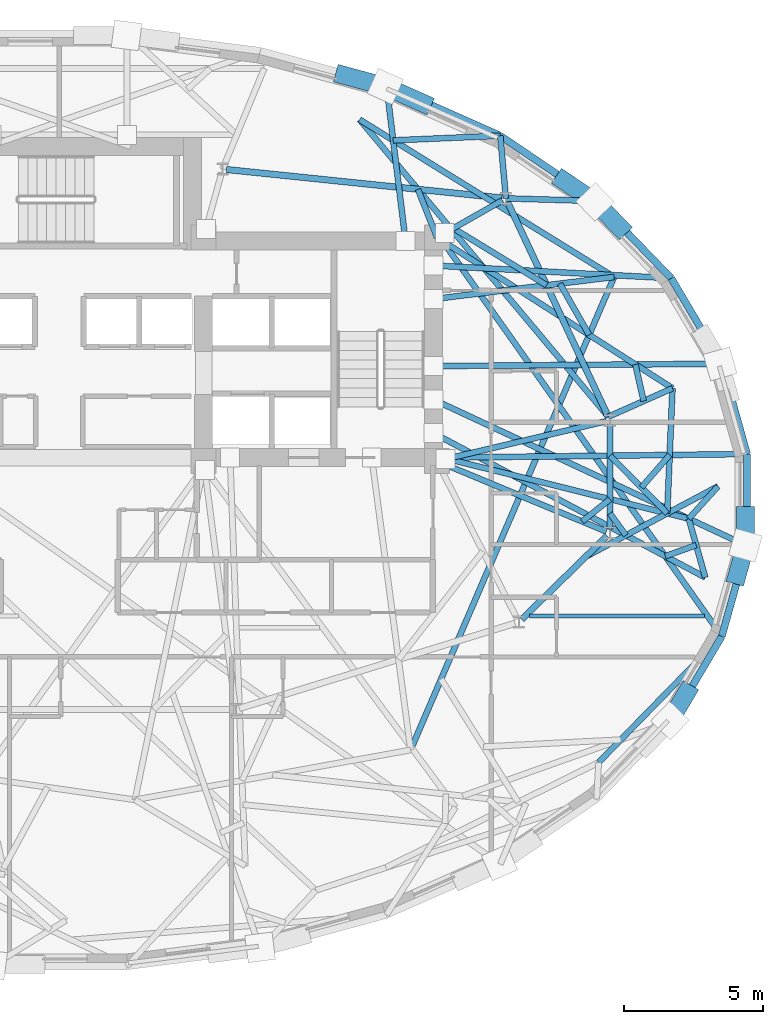
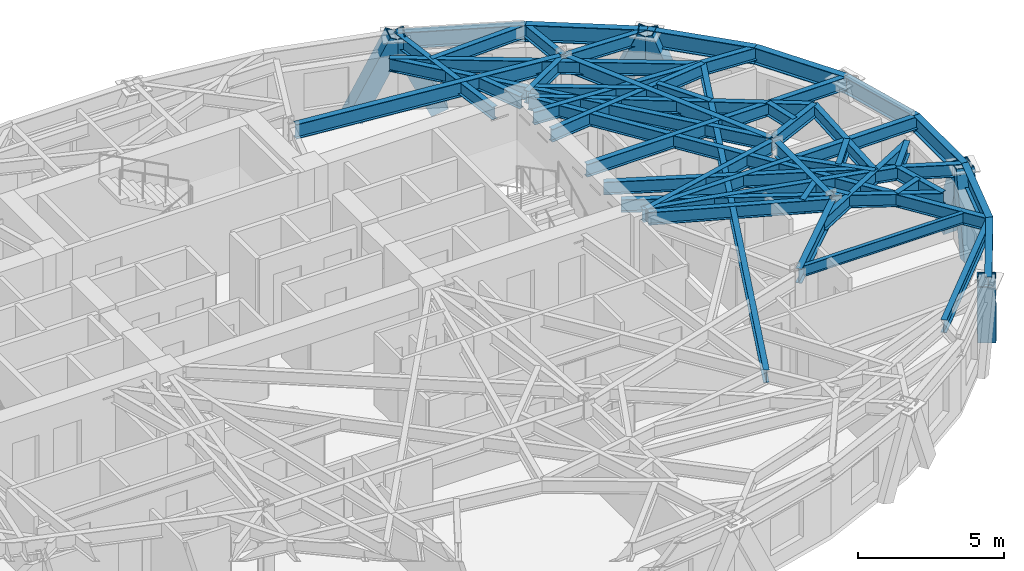
# One storey, part 4 of 15: 47 beams, 7 members.
"""IFC4 building model written with IfcOpenShell, lengths in metres."""

from ifc_helpers import new_model, si_unit, direction, frame, origin, origin_2d, place, context, subcontext, project, spatial, hollow_rectangle, i_section, extrude, material, material_profile, profile_set, type_object, element, save


model = new_model("IFC4")

# Units and contexts
model_context = context("Model", 3, precision=1e-05, world=origin(), true_north=direction((0.0, 1.0)))
body_context = subcontext(model_context, "Body", "Model", "MODEL_VIEW")
ifc_project = project(units=[si_unit("LENGTHUNIT", "METRE"), si_unit("AREAUNIT", "SQUARE_METRE"), si_unit("VOLUMEUNIT", "CUBIC_METRE"), si_unit("PLANEANGLEUNIT", "RADIAN"), si_unit("MASSUNIT", "GRAM", prefix="KILO")], contexts=[model_context])

# Site, building, storey
site_placement = place(None, origin())
site = spatial("IfcSite", under=ifc_project, at=site_placement, CompositionType="ELEMENT")
building_placement = place(site_placement, origin())
building = spatial("IfcBuilding", under=site, at=building_placement, Name="Keldmark Tower", CompositionType="ELEMENT")
storey_placement = place(building_placement, frame((0.0, 0.0, 163.0)))
storey = spatial("IfcBuildingStorey", under=building, at=storey_placement, Name="L44", CompositionType="ELEMENT", Elevation=163.0)

# Beam
ifc_material_1 = material(Name="Steel ASTM A992 Grade 50", Category="steel")
ifc_material_profile_1 = material_profile(ifc_material_1, i_section(OverallWidth=0.153076171875, OverallDepth=0.455078125, WebThickness=0.008056640625, FlangeThickness=0.01318359375, at=origin_2d()), Name="W18X40")
ifc_profile_set_1 = profile_set([ifc_material_profile_1], Name="Steel ASTM A992 Grade 50")
beam_type_1 = type_object("IfcBeamType", Name="Composite Floor Joist W18X40", PredefinedType="JOIST", material=ifc_profile_set_1)
beam_1_placement = place(storey_placement, frame((16.923095703125, -4.179931640625, 2.79248046875), z_axis=(1.0, 0.0, 0.0), x_axis=(0.0, 1.0, 0.0)))
element("IfcBeam", 1, at=beam_1_placement, inside=storey, type_object=beam_type_1, Name="L44 Composite Floor Joist J05", PredefinedType="JOIST", context=body_context, shape_type="SweptSolid", body=[
    extrude(i_section(OverallWidth=0.153076171875, OverallDepth=0.455078125, WebThickness=0.008056640625, FlangeThickness=0.01318359375, at=origin_2d()), origin(), (0.0, 0.0, 1.0), 6.30224609375),
])

# Members
ifc_material_2 = material(Name="Steel ASTM A572 Grade 50", Category="steel")
ifc_material_profile_2 = material_profile(ifc_material_2, hollow_rectangle(XDim=0.64990234375, YDim=0.64990234375, WallThickness=0.0400390625, at=origin_2d()), Name="BOX650X650X40")
ifc_profile_set_2 = profile_set([ifc_material_profile_2], Name="Steel ASTM A572 Grade 50")
member_type = type_object("IfcMemberType", Name="Diagrid Zone 3 Brace BOX650X650X40", PredefinedType="BRACE", material=ifc_profile_set_2)
member_1_placement = place(storey_placement, frame((20.192626953125, 9.8095703125, -0.260009765625), z_axis=(-0.26241195601, 0.271569188935, 0.925953638669), x_axis=(-0.719127207078, -0.694878449832, 0.0)))
element("IfcMember", 2, at=member_1_placement, inside=storey, type_object=member_type, Name="L44 Perimeter Diagrid Brace 02A", PredefinedType="BRACE", context=body_context, shape_type="SweptSolid", body=[
    extrude(hollow_rectangle(XDim=0.64990234375, YDim=0.64990234375, WallThickness=0.0400390625, at=origin_2d()), origin(), (0.0, 0.0, 1.0), 3.41259765625),
])
member_2_placement = place(storey_placement, frame((18.14697265625, 11.510498046875, -0.260009765625), z_axis=(0.334729830569, -0.226898350424, 0.914589021967), x_axis=(0.56109540076, 0.827751140891, 0.0)))
element("IfcMember", 3, at=member_2_placement, inside=storey, type_object=member_type, Name="L44 Perimeter Diagrid Brace 02B", PredefinedType="BRACE", context=body_context, shape_type="SweptSolid", body=[
    extrude(hollow_rectangle(XDim=0.64990234375, YDim=0.64990234375, WallThickness=0.0400390625, at=origin_2d()), origin(), (0.0, 0.0, 1.0), 3.455078125),
])
member_3_placement = place(storey_placement, frame((13.10791015625, 14.28466796875, -0.260009765625), z_axis=(-0.391062363127, 0.173603756202, 0.903842886777), x_axis=(-0.405744700759, -0.913986453842, 0.0)))
element("IfcMember", 4, at=member_3_placement, inside=storey, type_object=member_type, Name="L44 Perimeter Diagrid Brace 03A", PredefinedType="BRACE", context=body_context, shape_type="SweptSolid", body=[
    extrude(hollow_rectangle(XDim=0.64990234375, YDim=0.64990234375, WallThickness=0.0400390625, at=origin_2d()), origin(), (0.0, 0.0, 1.0), 3.49609375),
])
member_4_placement = place(storey_placement, frame((10.236572265625, 15.29638671875, -0.260009765625), z_axis=(0.429127748845, -0.116537837293, 0.895694315964), x_axis=(0.262076941922, 0.965046981506, 0.0)))
element("IfcMember", 5, at=member_4_placement, inside=storey, type_object=member_type, Name="L44 Perimeter Diagrid Brace 03B", PredefinedType="BRACE", context=body_context, shape_type="SweptSolid", body=[
    extrude(hollow_rectangle(XDim=0.64990234375, YDim=0.64990234375, WallThickness=0.0400390625, at=origin_2d()), origin(), (0.0, 0.0, 1.0), 3.52783203125),
])
member_5_placement = place(storey_placement, frame((22.590576171875, -6.929931640625, -0.260009765625), z_axis=(-0.179634339939, -0.303896484951, 0.935616604357), x_axis=(0.860853140724, -0.508853485894, 0.0)))
element("IfcMember", 6, at=member_5_placement, inside=storey, type_object=member_type, Name="L44 Perimeter Diagrid Brace 15B", PredefinedType="BRACE", context=body_context, shape_type="SweptSolid", body=[
    extrude(hollow_rectangle(XDim=0.64990234375, YDim=0.64990234375, WallThickness=0.0400390625, at=origin_2d()), origin(), (0.0, 0.0, 1.0), 3.37744140625),
])
member_6_placement = place(storey_placement, frame((24.405517578125, -2.72021484375, -0.260009765625), z_axis=(0.090321139282, 0.323220128566, 0.94200363072), x_axis=(-0.963103534488, 0.269131161067, 0.0)))
element("IfcMember", 7, at=member_6_placement, inside=storey, type_object=member_type, Name="L44 Perimeter Diagrid Brace 16A", PredefinedType="BRACE", context=body_context, shape_type="SweptSolid", body=[
    extrude(hollow_rectangle(XDim=0.64990234375, YDim=0.64990234375, WallThickness=0.0400390625, at=origin_2d()), origin(), (0.0, 0.0, 1.0), 3.3544921875),
])
member_7_placement = place(storey_placement, frame((24.706298828125, -0.54541015625, -0.260009765625), z_axis=(0.0, -0.329372156318, 0.944200181446), x_axis=(1.0, 0.0, 0.0)))
element("IfcMember", 8, at=member_7_placement, inside=storey, type_object=member_type, Name="L44 Perimeter Diagrid Brace 16B", PredefinedType="BRACE", context=body_context, shape_type="SweptSolid", body=[
    extrude(hollow_rectangle(XDim=0.64990234375, YDim=0.64990234375, WallThickness=0.0400390625, at=origin_2d()), origin(), (0.0, 0.0, 1.0), 3.3466796875),
])

# Beams
ifc_material_3 = material(Name="Steel ASTM A992 Grade 50", Category="steel")
ifc_material_profile_3 = material_profile(ifc_material_3, i_section(OverallWidth=0.22900390625, OverallDepth=0.612060546875, WebThickness=0.011962890625, FlangeThickness=0.01953125, at=origin_2d()), Name="W24X84")
ifc_profile_set_3 = profile_set([ifc_material_profile_3], Name="Steel ASTM A992 Grade 50")
beam_type_2 = type_object("IfcBeamType", Name="Primary Floor Girder W24X84", PredefinedType="BEAM", material=ifc_profile_set_3)
beam_2_placement = place(storey_placement, frame((19.76904296875, 2.99609375, 2.714111328125), z_axis=(-0.424526823774, 0.905415360979, 0.0), x_axis=(-0.905415360979, -0.424526823774, 0.0)))
element("IfcBeam", 9, at=beam_2_placement, inside=storey, type_object=beam_type_2, Name="L44 Floor Ring Girder FG-R01", PredefinedType="BEAM", context=body_context, shape_type="SweptSolid", body=[
    extrude(i_section(OverallWidth=0.22900390625, OverallDepth=0.612060546875, WebThickness=0.011962890625, FlangeThickness=0.01953125, at=origin_2d()), origin(), (0.0, 0.0, 1.0), 8.54638671875),
])
beam_3_placement = place(storey_placement, frame((15.942138671875, 10.87548828125, 2.714111328125), z_axis=(-0.994702930931, 0.102791435423, 0.0), x_axis=(-0.102791435423, -0.994702930931, 0.0)))
element("IfcBeam", 10, at=beam_3_placement, inside=storey, type_object=beam_type_2, Name="L44 Floor Ring Girder FG-R02", PredefinedType="BEAM", context=body_context, shape_type="SweptSolid", body=[
    extrude(i_section(OverallWidth=0.22900390625, OverallDepth=0.612060546875, WebThickness=0.011962890625, FlangeThickness=0.01953125, at=origin_2d()), origin(), (0.0, 0.0, 1.0), 9.975341796875),
])
beam_4_placement = place(storey_placement, frame((16.646728515625, -4.300537109375, 2.714111328125), z_axis=(0.714964509815, 0.699160746684, 0.0), x_axis=(-0.699160746684, 0.714964509815, 0.0)))
element("IfcBeam", 11, at=beam_4_placement, inside=storey, type_object=beam_type_2, Name="L44 Floor Ring Girder FG-R11", PredefinedType="BEAM", context=body_context, shape_type="SweptSolid", body=[
    extrude(i_section(OverallWidth=0.22900390625, OverallDepth=0.612060546875, WebThickness=0.011962890625, FlangeThickness=0.01953125, at=origin_2d()), origin(), (0.0, 0.0, 1.0), 4.31005859375),
])
beam_5_placement = place(storey_placement, frame((19.828369140625, -1.04931640625, 2.714111328125), z_axis=(0.0, 1.0, 0.0), x_axis=(-1.0, 0.0, 0.0)))
element("IfcBeam", 12, at=beam_5_placement, inside=storey, type_object=beam_type_2, Name="L44 Floor Ring Girder FG-R12", PredefinedType="BEAM", context=body_context, shape_type="SweptSolid", body=[
    extrude(i_section(OverallWidth=0.22900390625, OverallDepth=0.612060546875, WebThickness=0.011962890625, FlangeThickness=0.01953125, at=origin_2d()), origin(), (0.0, 0.0, 1.0), 3.778564453125),
])
ifc_material_4 = material(Name="Steel ASTM A992 Grade 50", Category="steel")
ifc_material_profile_4 = material_profile(ifc_material_4, i_section(OverallWidth=0.2099609375, OverallDepth=0.537109375, WebThickness=0.010986328125, FlangeThickness=0.017333984375, at=origin_2d()), Name="W21X68")
ifc_profile_set_4 = profile_set([ifc_material_profile_4], Name="Steel ASTM A992 Grade 50")
beam_type_3 = type_object("IfcBeamType", Name="Radial Tie Girder W21X68", PredefinedType="BEAM", material=ifc_profile_set_4)
beam_6_placement = place(storey_placement, frame((19.692138671875, 2.837158203125, 2.75146484375), z_axis=(-0.973280062348, -0.229621253887, 0.0), x_axis=(0.229621253887, -0.973280062348, 0.0)))
element("IfcBeam", 13, at=beam_6_placement, inside=storey, type_object=beam_type_3, Name="L44 Floor Radial Girder FG-C01", PredefinedType="BEAM", context=body_context, shape_type="SweptSolid", body=[
    extrude(i_section(OverallWidth=0.2099609375, OverallDepth=0.537109375, WebThickness=0.010986328125, FlangeThickness=0.017333984375, at=origin_2d()), origin(), (0.0, 0.0, 1.0), 5.939208984375),
])
beam_7_placement = place(storey_placement, frame((15.959716796875, 10.791748046875, 2.75146484375), z_axis=(-0.86929527307, -0.494293160197, 0.0), x_axis=(0.494293160197, -0.86929527307, 0.0)))
element("IfcBeam", 14, at=beam_7_placement, inside=storey, type_object=beam_type_3, Name="L44 Floor Radial Girder FG-C02", PredefinedType="BEAM", context=body_context, shape_type="SweptSolid", body=[
    extrude(i_section(OverallWidth=0.2099609375, OverallDepth=0.537109375, WebThickness=0.010986328125, FlangeThickness=0.017333984375, at=origin_2d()), origin(), (0.0, 0.0, 1.0), 2.39453125),
])
beam_8_placement = place(storey_placement, frame((19.69921875, -1.135498046875, 2.75146484375), z_axis=(-0.923393794893, 0.383854008124, 0.0), x_axis=(-0.383854008124, -0.923393794893, 0.0)))
element("IfcBeam", 15, at=beam_8_placement, inside=storey, type_object=beam_type_3, Name="L44 Floor Radial Girder FG-C12", PredefinedType="BEAM", context=body_context, shape_type="SweptSolid", body=[
    extrude(i_section(OverallWidth=0.2099609375, OverallDepth=0.537109375, WebThickness=0.010986328125, FlangeThickness=0.017333984375, at=origin_2d()), origin(), (0.0, 0.0, 1.0), 6.28515625),
])
beam_9_placement = place(storey_placement, frame((18.82861328125, -0.773681640625, 2.75146484375), z_axis=(0.779288200564, 0.626665700722, 0.0), x_axis=(-0.626665700722, 0.779288200564, 0.0)))
element("IfcBeam", 16, at=beam_9_placement, inside=storey, type_object=beam_type_3, Name="L44 Framing Pin Header PH-002", PredefinedType="BEAM", context=body_context, shape_type="SweptSolid", body=[
    extrude(i_section(OverallWidth=0.2099609375, OverallDepth=0.537109375, WebThickness=0.010986328125, FlangeThickness=0.017333984375, at=origin_2d()), origin(), (0.0, 0.0, 1.0), 1.282958984375),
])
beam_10_placement = place(storey_placement, frame((13.800048828125, 1.52490234375, 2.75146484375), z_axis=(0.970610768192, -0.240654808118, 0.0), x_axis=(0.240654808118, 0.970610768192, 0.0)))
element("IfcBeam", 17, at=beam_10_placement, inside=storey, type_object=beam_type_3, Name="L44 Sub-Ring Step Girder STP1-M12", PredefinedType="BEAM", context=body_context, shape_type="SweptSolid", body=[
    extrude(i_section(OverallWidth=0.2099609375, OverallDepth=0.537109375, WebThickness=0.010986328125, FlangeThickness=0.017333984375, at=origin_2d()), origin(), (0.0, 0.0, 1.0), 9.134521484375),
])
beam_11_placement = place(storey_placement, frame((14.1904296875, 9.78564453125, 2.75146484375), z_axis=(0.853199007527, -0.521585518927, 0.0), x_axis=(0.521585518927, 0.853199007527, 0.0)))
element("IfcBeam", 18, at=beam_11_placement, inside=storey, type_object=beam_type_3, Name="L44 Framing Pin Header PH-003", PredefinedType="BEAM", context=body_context, shape_type="SweptSolid", body=[
    extrude(i_section(OverallWidth=0.2099609375, OverallDepth=0.537109375, WebThickness=0.010986328125, FlangeThickness=0.017333984375, at=origin_2d()), origin(), (0.0, 0.0, 1.0), 3.93505859375),
])
beam_12_placement = place(storey_placement, frame((13.47509765625, 7.235595703125, 2.75146484375), z_axis=(0.992620947645, 0.12125862566, 0.0), x_axis=(-0.12125862566, 0.992620947645, 0.0)))
element("IfcBeam", 19, at=beam_12_placement, inside=storey, type_object=beam_type_3, Name="L44 Sub-Ring Step Girder STP2-M01", PredefinedType="BEAM", context=body_context, shape_type="SweptSolid", body=[
    extrude(i_section(OverallWidth=0.2099609375, OverallDepth=0.537109375, WebThickness=0.010986328125, FlangeThickness=0.017333984375, at=origin_2d()), origin(), (0.0, 0.0, 1.0), 6.549560546875),
])
beam_13_placement = place(storey_placement, frame((13.60009765625, 9.449951171875, 2.75146484375), z_axis=(-0.367288459478, 0.930107083907, 0.0), x_axis=(-0.930107083907, -0.367288459478, 0.0)))
element("IfcBeam", 20, at=beam_13_placement, inside=storey, type_object=beam_type_3, Name="L44 Framing Pin Header PH-004", PredefinedType="BEAM", context=body_context, shape_type="SweptSolid", body=[
    extrude(i_section(OverallWidth=0.2099609375, OverallDepth=0.537109375, WebThickness=0.010986328125, FlangeThickness=0.017333984375, at=origin_2d()), origin(), (0.0, 0.0, 1.0), 1.869140625),
])
beam_14_placement = place(storey_placement, frame((19.76904296875, 2.99609375, 2.75146484375), z_axis=(-0.641759384886, 0.766906051555, 0.0), x_axis=(-0.766906051555, -0.641759384886, 0.0)))
element("IfcBeam", 21, at=beam_14_placement, inside=storey, type_object=beam_type_3, Name="L44 Sub-Ring Step Girder STP2-M02", PredefinedType="BEAM", context=body_context, shape_type="SweptSolid", body=[
    extrude(i_section(OverallWidth=0.2099609375, OverallDepth=0.537109375, WebThickness=0.010986328125, FlangeThickness=0.017333984375, at=origin_2d()), origin(), (0.0, 0.0, 1.0), 13.954345703125),
])
beam_15_placement = place(storey_placement, frame((19.976318359375, 8.02978515625, 2.75146484375), z_axis=(-0.850436056083, 0.526078430003, 0.0), x_axis=(-0.526078430003, -0.850436056083, 0.0)))
element("IfcBeam", 22, at=beam_15_placement, inside=storey, type_object=beam_type_3, Name="L44 Perimeter Collector Ring Beam CRG2-M01", PredefinedType="BEAM", context=body_context, shape_type="SweptSolid", body=[
    extrude(i_section(OverallWidth=0.2099609375, OverallDepth=0.537109375, WebThickness=0.010986328125, FlangeThickness=0.017333984375, at=origin_2d()), origin(), (0.0, 0.0, 1.0), 10.77392578125),
])
beam_16_placement = place(storey_placement, frame((12.649658203125, -9.0029296875, 2.75146484375), z_axis=(0.395145761568, 0.918618433908, 0.0), x_axis=(-0.918618433908, 0.395145761568, 0.0)))
element("IfcBeam", 23, at=beam_16_placement, inside=storey, type_object=beam_type_3, Name="L44 Perimeter Collector Ring Beam CRG2-M11", PredefinedType="BEAM", context=body_context, shape_type="SweptSolid", body=[
    extrude(i_section(OverallWidth=0.2099609375, OverallDepth=0.537109375, WebThickness=0.010986328125, FlangeThickness=0.017333984375, at=origin_2d()), origin(), (0.0, 0.0, 1.0), 18.541748046875),
])
beam_17_placement = place(storey_placement, frame((19.828369140625, 1.595703125, 2.75146484375), z_axis=(0.704557619254, -0.70964678619, 0.0), x_axis=(0.70964678619, 0.704557619254, 0.0)))
element("IfcBeam", 24, at=beam_17_placement, inside=storey, type_object=beam_type_3, Name="L44 Framing Pin Header PH-009", PredefinedType="BEAM", context=body_context, shape_type="SweptSolid", body=[
    extrude(i_section(OverallWidth=0.2099609375, OverallDepth=0.537109375, WebThickness=0.010986328125, FlangeThickness=0.017333984375, at=origin_2d()), origin(), (0.0, 0.0, 1.0), 2.92626953125),
])
beam_18_placement = place(storey_placement, frame((18.9580078125, -2.04052734375, 2.75146484375), z_axis=(0.882900362005, 0.469560380326, 0.0), x_axis=(-0.469560380326, 0.882900362005, 0.0)))
element("IfcBeam", 25, at=beam_18_placement, inside=storey, type_object=beam_type_3, Name="L44 Intermediate Radial Step Girder RT-01M", PredefinedType="BEAM", context=body_context, shape_type="SweptSolid", body=[
    extrude(i_section(OverallWidth=0.2099609375, OverallDepth=0.537109375, WebThickness=0.010986328125, FlangeThickness=0.017333984375, at=origin_2d()), origin(), (0.0, 0.0, 1.0), 5.38916015625),
])
beam_19_placement = place(storey_placement, frame((22.666015625, -0.67333984375, 2.75146484375), z_axis=(0.670039907955, 0.742325078216, 0.0), x_axis=(-0.742325078216, 0.670039907955, 0.0)))
element("IfcBeam", 26, at=beam_19_placement, inside=storey, type_object=beam_type_3, Name="L44 Local Collector Chord RT-01C", PredefinedType="BEAM", context=body_context, shape_type="SweptSolid", body=[
    extrude(i_section(OverallWidth=0.2099609375, OverallDepth=0.537109375, WebThickness=0.010986328125, FlangeThickness=0.017333984375, at=origin_2d()), origin(), (0.0, 0.0, 1.0), 1.567138671875),
])
beam_20_placement = place(storey_placement, frame((18.02587890625, 7.79150390625, 2.75146484375), z_axis=(0.495879140901, -0.868391546262, 0.0), x_axis=(0.868391546262, 0.495879140901, 0.0)))
element("IfcBeam", 27, at=beam_20_placement, inside=storey, type_object=beam_type_3, Name="L44 Framing Pin Header PH-010", PredefinedType="BEAM", context=body_context, shape_type="SweptSolid", body=[
    extrude(i_section(OverallWidth=0.2099609375, OverallDepth=0.537109375, WebThickness=0.010986328125, FlangeThickness=0.017333984375, at=origin_2d()), origin(), (0.0, 0.0, 1.0), 2.12548828125),
])
beam_21_placement = place(storey_placement, frame((13.800048828125, 9.324951171875, 2.75146484375), z_axis=(0.842254713998, -0.539079768447, 0.0), x_axis=(0.539079768447, 0.842254713998, 0.0)))
element("IfcBeam", 28, at=beam_21_placement, inside=storey, type_object=beam_type_3, Name="L44 Intermediate Radial Step Girder RT-02M", PredefinedType="BEAM", context=body_context, shape_type="SweptSolid", body=[
    extrude(i_section(OverallWidth=0.2099609375, OverallDepth=0.537109375, WebThickness=0.010986328125, FlangeThickness=0.017333984375, at=origin_2d()), origin(), (0.0, 0.0, 1.0), 9.83154296875),
])
beam_22_placement = place(storey_placement, frame((19.76904296875, 2.99609375, 2.75146484375), z_axis=(0.913612501714, 0.406586026214, 0.0), x_axis=(-0.406586026214, 0.913612501714, 0.0)))
element("IfcBeam", 29, at=beam_22_placement, inside=storey, type_object=beam_type_3, Name="L44 Local Collector Chord RT-02C", PredefinedType="BEAM", context=body_context, shape_type="SweptSolid", body=[
    extrude(i_section(OverallWidth=0.2099609375, OverallDepth=0.537109375, WebThickness=0.010986328125, FlangeThickness=0.017333984375, at=origin_2d()), origin(), (0.0, 0.0, 1.0), 2.5302734375),
])
beam_23_placement = place(storey_placement, frame((21.04052734375, 3.56201171875, 2.75146484375), z_axis=(-0.219168228512, 0.975687084885, 0.0), x_axis=(-0.975687084885, -0.219168228512, 0.0)))
element("IfcBeam", 30, at=beam_23_placement, inside=storey, type_object=beam_type_3, Name="L44 Framing Pin Header PH-011", PredefinedType="BEAM", context=body_context, shape_type="SweptSolid", body=[
    extrude(i_section(OverallWidth=0.2099609375, OverallDepth=0.537109375, WebThickness=0.010986328125, FlangeThickness=0.017333984375, at=origin_2d()), origin(), (0.0, 0.0, 1.0), 1.351318359375),
])
beam_24_placement = place(storey_placement, frame((13.47509765625, 4.8212890625, 2.75146484375), z_axis=(0.999966899663, 0.008136312371, 0.0), x_axis=(-0.008136312371, 0.999966899663, 0.0)))
element("IfcBeam", 31, at=beam_24_placement, inside=storey, type_object=beam_type_3, Name="L44 Perimeter Radial Tie Girder RT-02", PredefinedType="BEAM", context=body_context, shape_type="SweptSolid", body=[
    extrude(i_section(OverallWidth=0.2099609375, OverallDepth=0.537109375, WebThickness=0.010986328125, FlangeThickness=0.017333984375, at=origin_2d()), origin(), (0.0, 0.0, 1.0), 10.382080078125),
])
beam_25_placement = place(storey_placement, frame((13.47509765625, 8.44287109375, 2.75146484375), z_axis=(0.998570711465, -0.053446554661, 0.0), x_axis=(0.053446554661, 0.998570711465, 0.0)))
element("IfcBeam", 32, at=beam_25_placement, inside=storey, type_object=beam_type_3, Name="L44 Perimeter Radial Tie Girder RT-03", PredefinedType="BEAM", context=body_context, shape_type="SweptSolid", body=[
    extrude(i_section(OverallWidth=0.2099609375, OverallDepth=0.537109375, WebThickness=0.010986328125, FlangeThickness=0.017333984375, at=origin_2d()), origin(), (0.0, 0.0, 1.0), 8.573974609375),
])
beam_26_placement = place(storey_placement, frame((16.08154296875, 10.861083984375, 2.75146484375), z_axis=(0.999564975012, -0.029493401444, 0.0), x_axis=(0.029493401444, 0.999564975012, 0.0)))
element("IfcBeam", 33, at=beam_26_placement, inside=storey, type_object=beam_type_3, Name="L44 Perimeter Column Bracket RT-04", PredefinedType="BEAM", context=body_context, shape_type="SweptSolid", body=[
    extrude(i_section(OverallWidth=0.2099609375, OverallDepth=0.537109375, WebThickness=0.010986328125, FlangeThickness=0.017333984375, at=origin_2d()), origin(), (0.0, 0.0, 1.0), 3.269775390625),
])
beam_27_placement = place(storey_placement, frame((16.08154296875, 10.861083984375, 2.75146484375), z_axis=(-0.089048441045, 0.996027296387, 0.0), x_axis=(-0.996027296387, -0.089048441045, 0.0)))
element("IfcBeam", 34, at=beam_27_placement, inside=storey, type_object=beam_type_3, Name="L44 Perimeter Column Bracket RT-05", PredefinedType="BEAM", context=body_context, shape_type="SweptSolid", body=[
    extrude(i_section(OverallWidth=0.2099609375, OverallDepth=0.537109375, WebThickness=0.010986328125, FlangeThickness=0.017333984375, at=origin_2d()), origin(), (0.0, 0.0, 1.0), 2.2646484375),
])
beam_28_placement = place(storey_placement, frame((15.8798828125, 13.11669921875, 2.75146484375), z_axis=(-0.999064017094, -0.043256094929, 0.0), x_axis=(0.043256094929, -0.999064017094, 0.0)))
element("IfcBeam", 35, at=beam_28_placement, inside=storey, type_object=beam_type_3, Name="L44 Framing Pin Header PH-012", PredefinedType="BEAM", context=body_context, shape_type="SweptSolid", body=[
    extrude(i_section(OverallWidth=0.2099609375, OverallDepth=0.537109375, WebThickness=0.010986328125, FlangeThickness=0.017333984375, at=origin_2d()), origin(), (0.0, 0.0, 1.0), 3.860595703125),
])
beam_29_placement = place(storey_placement, frame((12.468017578125, 9.324951171875, 2.75146484375), z_axis=(-0.121871902014, 0.99254583748, 0.0), x_axis=(-0.99254583748, -0.121871902014, 0.0)))
element("IfcBeam", 36, at=beam_29_placement, inside=storey, type_object=beam_type_3, Name="L44 Perimeter Radial Tie Girder RT-06", PredefinedType="BEAM", context=body_context, shape_type="SweptSolid", body=[
    extrude(i_section(OverallWidth=0.2099609375, OverallDepth=0.537109375, WebThickness=0.010986328125, FlangeThickness=0.017333984375, at=origin_2d()), origin(), (0.0, 0.0, 1.0), 5.6552734375),
])
beam_30_placement = place(storey_placement, frame((19.828369140625, -0.482421875, 2.75146484375), z_axis=(0.588781022217, -0.808292588038, 0.0), x_axis=(0.808292588038, 0.588781022217, 0.0)))
element("IfcBeam", 37, at=beam_30_placement, inside=storey, type_object=beam_type_3, Name="L44 Framing Pin Header PH-034", PredefinedType="BEAM", context=body_context, shape_type="SweptSolid", body=[
    extrude(i_section(OverallWidth=0.2099609375, OverallDepth=0.537109375, WebThickness=0.010986328125, FlangeThickness=0.017333984375, at=origin_2d()), origin(), (0.0, 0.0, 1.0), 0.9765625),
])
beam_31_placement = place(storey_placement, frame((13.47509765625, 2.406982421875, 2.75146484375), z_axis=(0.883208416971, -0.468980694904, 0.0), x_axis=(0.468980694904, 0.883208416971, 0.0)))
element("IfcBeam", 38, at=beam_31_placement, inside=storey, type_object=beam_type_3, Name="L44 Intermediate Radial Step Girder RT-31M", PredefinedType="BEAM", context=body_context, shape_type="SweptSolid", body=[
    extrude(i_section(OverallWidth=0.2099609375, OverallDepth=0.537109375, WebThickness=0.010986328125, FlangeThickness=0.017333984375, at=origin_2d()), origin(), (0.0, 0.0, 1.0), 11.08056640625),
])
beam_32_placement = place(storey_placement, frame((22.666015625, -0.67333984375, 2.75146484375), z_axis=(0.2708613528, -0.962618370674, 0.0), x_axis=(0.962618370674, 0.2708613528, 0.0)))
element("IfcBeam", 39, at=beam_32_placement, inside=storey, type_object=beam_type_3, Name="L44 Local Collector Chord RT-31C", PredefinedType="BEAM", context=body_context, shape_type="SweptSolid", body=[
    extrude(i_section(OverallWidth=0.2099609375, OverallDepth=0.537109375, WebThickness=0.010986328125, FlangeThickness=0.017333984375, at=origin_2d()), origin(), (0.0, 0.0, 1.0), 2.198486328125),
])
beam_33_placement = place(storey_placement, frame((22.933837890625, -1.62548828125, 2.75146484375), z_axis=(-0.941362916354, -0.337395701979, 0.0), x_axis=(0.337395701979, -0.941362916354, 0.0)))
element("IfcBeam", 40, at=beam_33_placement, inside=storey, type_object=beam_type_3, Name="L44 Framing Pin Header PH-035", PredefinedType="BEAM", context=body_context, shape_type="SweptSolid", body=[
    extrude(i_section(OverallWidth=0.2099609375, OverallDepth=0.537109375, WebThickness=0.010986328125, FlangeThickness=0.017333984375, at=origin_2d()), origin(), (0.0, 0.0, 1.0), 1.182373046875),
])
beam_34_placement = place(storey_placement, frame((13.800048828125, 9.324951171875, 2.75146484375), z_axis=(0.577130311447, -0.816652070107, 0.0), x_axis=(0.816652070107, 0.577130311447, 0.0)))
element("IfcBeam", 41, at=beam_34_placement, inside=storey, type_object=beam_type_3, Name="L44 Perimeter Radial Tie Girder RT-31", PredefinedType="BEAM", context=body_context, shape_type="SweptSolid", body=[
    extrude(i_section(OverallWidth=0.2099609375, OverallDepth=0.537109375, WebThickness=0.010986328125, FlangeThickness=0.017333984375, at=origin_2d()), origin(), (0.0, 0.0, 1.0), 17.42578125),
])
beam_35_placement = place(storey_placement, frame((13.47509765625, 3.6142578125, 2.75146484375), z_axis=(0.906223684344, -0.422798573713, 0.0), x_axis=(0.422798573713, 0.906223684344, 0.0)))
element("IfcBeam", 42, at=beam_35_placement, inside=storey, type_object=beam_type_3, Name="L44 Perimeter Radial Tie Girder RT-32", PredefinedType="BEAM", context=body_context, shape_type="SweptSolid", body=[
    extrude(i_section(OverallWidth=0.2099609375, OverallDepth=0.537109375, WebThickness=0.010986328125, FlangeThickness=0.017333984375, at=origin_2d()), origin(), (0.0, 0.0, 1.0), 12.45947265625),
])
beam_36_placement = place(storey_placement, frame((21.89013671875, -0.48095703125, 2.75146484375), z_axis=(0.042279023778, 0.999105842315, 0.0), x_axis=(-0.999105842315, 0.042279023778, 0.0)))
element("IfcBeam", 43, at=beam_36_placement, inside=storey, type_object=beam_type_3, Name="L44 Straddling Support Chord RT-01RB", PredefinedType="BEAM", context=body_context, shape_type="SweptSolid", body=[
    extrude(i_section(OverallWidth=0.2099609375, OverallDepth=0.537109375, WebThickness=0.010986328125, FlangeThickness=0.017333984375, at=origin_2d()), origin(), (0.0, 0.0, 1.0), 4.510009765625),
])
beam_37_placement = place(storey_placement, frame((20.96240234375, 0.45361328125, 2.75146484375), z_axis=(0.656772065151, 0.754089155496, 0.0), x_axis=(-0.754089155496, 0.656772065151, 0.0)))
element("IfcBeam", 44, at=beam_37_placement, inside=storey, type_object=beam_type_3, Name="L44 Framing Pin Header PH-036", PredefinedType="BEAM", context=body_context, shape_type="SweptSolid", body=[
    extrude(i_section(OverallWidth=0.2099609375, OverallDepth=0.537109375, WebThickness=0.010986328125, FlangeThickness=0.017333984375, at=origin_2d()), origin(), (0.0, 0.0, 1.0), 1.5478515625),
])
beam_38_placement = place(storey_placement, frame((13.800048828125, 1.52490234375, 2.75146484375), z_axis=(0.999931178376, 0.011731944052, 0.0), x_axis=(-0.011731944052, 0.999931178376, 0.0)))
element("IfcBeam", 45, at=beam_38_placement, inside=storey, type_object=beam_type_3, Name="L44 Perimeter Radial Tie Girder RT-01R", PredefinedType="BEAM", context=body_context, shape_type="SweptSolid", body=[
    extrude(i_section(OverallWidth=0.2099609375, OverallDepth=0.537109375, WebThickness=0.010986328125, FlangeThickness=0.017333984375, at=origin_2d()), origin(), (0.0, 0.0, 1.0), 10.966796875),
])
beam_39_placement = place(storey_placement, frame((19.422119140625, -9.448486328125, 2.75146484375), z_axis=(0.698556884714, 0.715554525399, 0.0), x_axis=(-0.715554525399, 0.698556884714, 0.0)))
element("IfcBeam", 46, at=beam_39_placement, inside=storey, type_object=beam_type_3, Name="L44 Straddling Support Chord RT-30RB", PredefinedType="BEAM", context=body_context, shape_type="SweptSolid", body=[
    extrude(i_section(OverallWidth=0.2099609375, OverallDepth=0.537109375, WebThickness=0.010986328125, FlangeThickness=0.017333984375, at=origin_2d()), origin(), (0.0, 0.0, 1.0), 6.3486328125),
])
ifc_material_5 = material(Name="Steel ASTM A992 Grade 50", Category="steel")
ifc_material_profile_5 = material_profile(ifc_material_5, i_section(OverallWidth=0.256103515625, OverallDepth=0.693115234375, WebThickness=0.014404296875, FlangeThickness=0.023681640625, at=origin_2d()), Name="W27X114")
ifc_profile_set_5 = profile_set([ifc_material_profile_5], Name="Steel ASTM A992 Grade 50")
beam_type_4 = type_object("IfcBeamType", Name="Spandrel Ring Beam W27X114", PredefinedType="SPANDREL", material=ifc_profile_set_5)
beam_40_placement = place(storey_placement, frame((24.76611328125, 1.653564453125, 2.673583984375), z_axis=(-0.269235699479, 0.963074315993, 0.0), x_axis=(-0.963074315993, -0.269235699479, 0.0)))
element("IfcBeam", 47, at=beam_40_placement, inside=storey, type_object=beam_type_4, Name="L44 Perimeter Spandrel Ring Beam SRB-01", PredefinedType="SPANDREL", context=body_context, shape_type="SweptSolid", body=[
    extrude(i_section(OverallWidth=0.256103515625, OverallDepth=0.693115234375, WebThickness=0.014404296875, FlangeThickness=0.023681640625, at=origin_2d()), origin(), (0.0, 0.0, 1.0), 3.376953125),
])
beam_41_placement = place(storey_placement, frame((23.85693359375, 4.90576171875, 2.673583984375), z_axis=(-0.508883387051, 0.860835465338, 0.0), x_axis=(-0.860835465338, -0.508883387051, 0.0)))
element("IfcBeam", 48, at=beam_41_placement, inside=storey, type_object=beam_type_4, Name="L44 Perimeter Spandrel Ring Beam SRB-02", PredefinedType="SPANDREL", context=body_context, shape_type="SweptSolid", body=[
    extrude(i_section(OverallWidth=0.256103515625, OverallDepth=0.693115234375, WebThickness=0.014404296875, FlangeThickness=0.023681640625, at=origin_2d()), origin(), (0.0, 0.0, 1.0), 3.57666015625),
])
beam_42_placement = place(storey_placement, frame((22.036865234375, 7.984619140625, 2.673583984375), z_axis=(-0.694975307772, 0.719033602544, 0.0), x_axis=(-0.719033602544, -0.694975307772, 0.0)))
element("IfcBeam", 49, at=beam_42_placement, inside=storey, type_object=beam_type_4, Name="L44 Perimeter Spandrel Ring Beam SRB-03", PredefinedType="SPANDREL", context=body_context, shape_type="SweptSolid", body=[
    extrude(i_section(OverallWidth=0.256103515625, OverallDepth=0.693115234375, WebThickness=0.014404296875, FlangeThickness=0.023681640625, at=origin_2d()), origin(), (0.0, 0.0, 1.0), 3.866455078125),
])
beam_43_placement = place(storey_placement, frame((19.349853515625, 10.7646484375, 2.673583984375), z_axis=(-0.827760762475, 0.561081206338, 0.0), x_axis=(-0.561081206338, -0.827760762475, 0.0)))
element("IfcBeam", 50, at=beam_43_placement, inside=storey, type_object=beam_type_4, Name="L44 Perimeter Spandrel Ring Beam SRB-04", PredefinedType="SPANDREL", context=body_context, shape_type="SweptSolid", body=[
    extrude(i_section(OverallWidth=0.256103515625, OverallDepth=0.693115234375, WebThickness=0.014404296875, FlangeThickness=0.023681640625, at=origin_2d()), origin(), (0.0, 0.0, 1.0), 4.19189453125),
])
beam_44_placement = place(storey_placement, frame((15.8798828125, 13.11669921875, 2.673583984375), z_axis=(-0.913928177397, 0.405875949719, 0.0), x_axis=(-0.405875949719, -0.913928177397, 0.0)))
element("IfcBeam", 51, at=beam_44_placement, inside=storey, type_object=beam_type_4, Name="L44 Perimeter Spandrel Ring Beam SRB-05", PredefinedType="SPANDREL", context=body_context, shape_type="SweptSolid", body=[
    extrude(i_section(OverallWidth=0.256103515625, OverallDepth=0.693115234375, WebThickness=0.014404296875, FlangeThickness=0.023681640625, at=origin_2d()), origin(), (0.0, 0.0, 1.0), 4.4873046875),
])
beam_45_placement = place(storey_placement, frame((22.036865234375, -7.984619140625, 2.673583984375), z_axis=(0.508883387051, 0.860835465338, 0.0), x_axis=(-0.860835465338, 0.508883387051, 0.0)))
element("IfcBeam", 52, at=beam_45_placement, inside=storey, type_object=beam_type_4, Name="L44 Perimeter Spandrel Ring Beam SRB-30", PredefinedType="SPANDREL", context=body_context, shape_type="SweptSolid", body=[
    extrude(i_section(OverallWidth=0.256103515625, OverallDepth=0.693115234375, WebThickness=0.014404296875, FlangeThickness=0.023681640625, at=origin_2d()), origin(), (0.0, 0.0, 1.0), 3.57666015625),
])
beam_46_placement = place(storey_placement, frame((23.85693359375, -4.90576171875, 2.673583984375), z_axis=(0.269235699479, 0.963074315993, 0.0), x_axis=(-0.963074315993, 0.269235699479, 0.0)))
element("IfcBeam", 53, at=beam_46_placement, inside=storey, type_object=beam_type_4, Name="L44 Perimeter Spandrel Ring Beam SRB-31", PredefinedType="SPANDREL", context=body_context, shape_type="SweptSolid", body=[
    extrude(i_section(OverallWidth=0.256103515625, OverallDepth=0.693115234375, WebThickness=0.014404296875, FlangeThickness=0.023681640625, at=origin_2d()), origin(), (0.0, 0.0, 1.0), 3.376953125),
])
beam_47_placement = place(storey_placement, frame((24.76611328125, -1.653564453125, 2.673583984375), z_axis=(0.0, 1.0, 0.0), x_axis=(-1.0, 0.0, 0.0)))
element("IfcBeam", 54, at=beam_47_placement, inside=storey, type_object=beam_type_4, Name="L44 Perimeter Spandrel Ring Beam SRB-32", PredefinedType="SPANDREL", context=body_context, shape_type="SweptSolid", body=[
    extrude(i_section(OverallWidth=0.256103515625, OverallDepth=0.693115234375, WebThickness=0.014404296875, FlangeThickness=0.023681640625, at=origin_2d()), origin(), (0.0, 0.0, 1.0), 3.30712890625),
])

save(model, "model.ifc")
